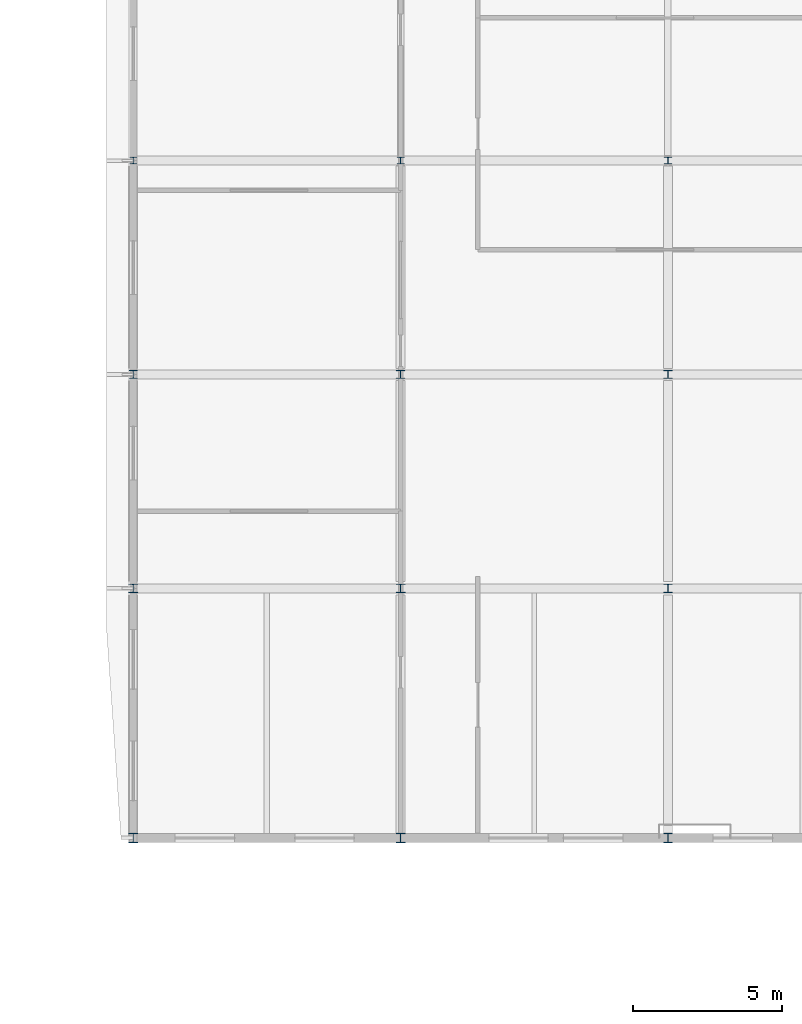
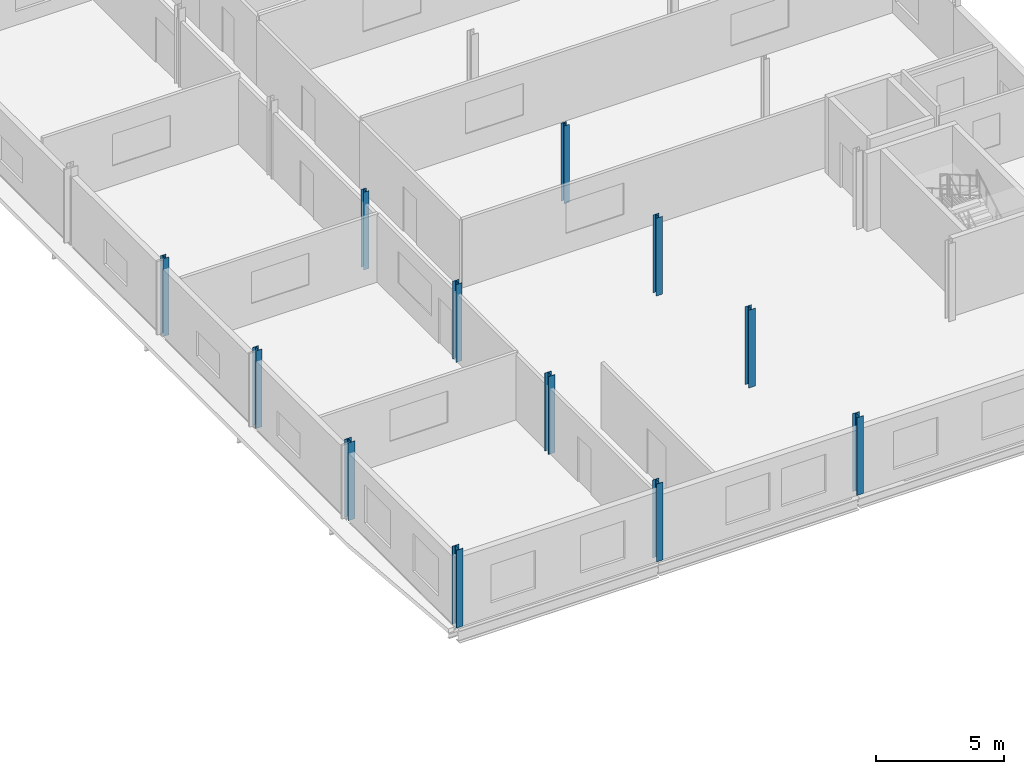
# One storey, part 5 of 30: 12 columns.
"""IFC4 building model written with IfcOpenShell, lengths in metres."""

import ifcopenshell
import ifcopenshell.guid

model = None  # the IFC model being written
_history = None  # IfcOwnerHistory: only IFC2X3 demands one
_inside = {}  # id of a spatial element -> (the spatial element, [elements in it])
_under = {}  # id of a project, library or spatial element -> (it, [spatial elements below it])
_declared = {}  # id of a project -> (the project, [libraries it declares])
_typed = {}  # id of a type object -> (the type object, [elements of that type])
_made_of = {}  # id of a material, layer set ... -> (it, [elements and type objects made of it])


def new_model(schema):
    """Start an empty IFC model of exactly this schema.

    Asked for "IFC4X3", IfcOpenShell would pick the latest addendum, in which some entities
    have other attributes; the version numbers below select the first issue.
    IFC2X3 requires an IfcOwnerHistory on every rooted entity: one is made here for all.
    """
    global model, _history
    if schema == "IFC4X3":
        model = ifcopenshell.file(schema_version=(4, 3, 0, 0))
    else:
        model = ifcopenshell.file(schema=schema)
    _inside.clear()
    _under.clear()
    _declared.clear()
    _typed.clear()
    _made_of.clear()
    _history = None
    if model.schema == "IFC2X3":
        org = make("IfcOrganization", Name="unknown")
        user = make(
            "IfcPersonAndOrganization",
            ThePerson=make("IfcPerson", FamilyName="unknown"),
            TheOrganization=org,
        )
        app = make(
            "IfcApplication",
            ApplicationDeveloper=org,
            Version="unknown",
            ApplicationFullName="unknown",
            ApplicationIdentifier="unknown",
        )
        _history = make(
            "IfcOwnerHistory",
            OwningUser=user,
            OwningApplication=app,
            ChangeAction="ADDED",
            CreationDate=0,
        )
    return model


def make(cls, **values):
    """One entity of the class cls with the attributes given. An attribute that is None is left unset."""
    return model.create_entity(
        cls, **{name: value for name, value in values.items() if value is not None}
    )


def rooted(cls, **values):
    """An entity with a GlobalId (a new one), such as an element, a storey or a relation."""
    return make(cls, GlobalId=ifcopenshell.guid.new(), OwnerHistory=_history, **values)


def si_unit(unit_type, name, prefix=None):
    """IfcSIUnit, for example si_unit("LENGTHUNIT", "METRE", prefix="MILLI")."""
    return make("IfcSIUnit", UnitType=unit_type, Prefix=prefix, Name=name)


def assignment(units):
    """IfcUnitAssignment: the units of a project."""
    return None if units is None else make("IfcUnitAssignment", Units=units)


def point(xyz):
    """IfcCartesianPoint."""
    return None if xyz is None else make("IfcCartesianPoint", Coordinates=xyz)


def direction(xyz):
    """IfcDirection."""
    return None if xyz is None else make("IfcDirection", DirectionRatios=xyz)


def frame(location, z_axis=None, x_axis=None):
    """IfcAxis2Placement3D, a coordinate frame: its origin and axes. An axis left out is left unset."""
    return make(
        "IfcAxis2Placement3D",
        Location=point(location),
        Axis=direction(z_axis),
        RefDirection=direction(x_axis),
    )


def frame_2d(location, x_axis=None):
    """IfcAxis2Placement2D, a coordinate frame in the plane: its origin and x axis."""
    return make(
        "IfcAxis2Placement2D", Location=point(location), RefDirection=direction(x_axis)
    )


def origin():
    """The frame at (0, 0, 0) with its axes left unset."""
    return frame((0.0, 0.0, 0.0))


def origin_2d():
    """The frame at (0, 0) in the plane with its x axis left unset."""
    return frame_2d((0.0, 0.0))


def place(relative_to, where):
    """IfcLocalPlacement: puts the frame where relative to a parent placement (None: the world)."""
    return make(
        "IfcLocalPlacement", PlacementRelTo=relative_to, RelativePlacement=where
    )


def context(
    kind, dimensions, precision=None, world=None, true_north=None, identifier=None
):
    """IfcGeometricRepresentationContext, for example the 3D "Model" context."""
    return make(
        "IfcGeometricRepresentationContext",
        ContextIdentifier=identifier,
        ContextType=kind,
        CoordinateSpaceDimension=dimensions,
        Precision=precision,
        WorldCoordinateSystem=world,
        TrueNorth=true_north,
    )


def subcontext(parent, identifier, kind, view, scale=None):
    """IfcGeometricRepresentationSubContext, for example "Body" below "Model"."""
    return make(
        "IfcGeometricRepresentationSubContext",
        ContextIdentifier=identifier,
        ContextType=kind,
        ParentContext=parent,
        TargetScale=scale,
        TargetView=view,
    )


def project(units=None, contexts=None):
    """IfcProject with its units and contexts."""
    return rooted(
        "IfcProject",
        Name="project",
        RepresentationContexts=contexts,
        UnitsInContext=assignment(units),
    )


def spatial(cls, under=None, at=None, **own):
    """A site, building, storey or space (cls), placed at a placement, below another one or the project."""
    s = rooted(cls, ObjectPlacement=at, **own)
    if under is not None:
        _under.setdefault(under.id(), (under, []))[1].append(s)
    return s


def profile(cls, at=None, kind="AREA", **sizes):
    """A parametric profile (cls). Its sizes go by their IFC names, for example OverallWidth=200.0."""
    return make(cls, ProfileType=kind, Position=at, **sizes)


def i_section(**sizes):
    """IfcIShapeProfileDef."""
    return profile("IfcIShapeProfileDef", **sizes)


def extrude(swept, where, along, depth):
    """IfcExtrudedAreaSolid: the profile swept, set in the frame where, extruded along a direction by depth."""
    return make(
        "IfcExtrudedAreaSolid",
        SweptArea=swept,
        Position=where,
        ExtrudedDirection=direction(along),
        Depth=depth,
    )


def shape(context_of_items, identifier, shape_type, items):
    """IfcShapeRepresentation: the items that make up one representation, for example the "Body"."""
    return make(
        "IfcShapeRepresentation",
        ContextOfItems=context_of_items,
        RepresentationIdentifier=identifier,
        RepresentationType=shape_type,
        Items=items,
    )


def material(Name=None, Category=None):
    """IfcMaterial."""
    return make("IfcMaterial", Name=Name, Category=Category)


def material_profile(
    of_material, cross_section, Name=None, Category=None, Priority=None
):
    """IfcMaterialProfile: a cross section and its material."""
    return make(
        "IfcMaterialProfile",
        Name=Name,
        Material=of_material,
        Profile=cross_section,
        Priority=Priority,
        Category=Category,
    )


def profile_set(profiles, Name=None, composite=None):
    """IfcMaterialProfileSet."""
    return make(
        "IfcMaterialProfileSet",
        Name=Name,
        MaterialProfiles=profiles,
        CompositeProfile=composite,
    )


def made_of(thing, what):
    """Note that an element or type object is made of a material, layer set ...; save() writes the relation."""
    if what is not None:
        _made_of.setdefault(what.id(), (what, []))[1].append(thing)
    return thing


def type_object(cls, material=None, **own):
    """A type object (cls), such as IfcWallType, which elements share."""
    return made_of(rooted(cls, **own), material)


def element(
    cls,
    number,
    at=None,
    inside=None,
    cuts=None,
    type_object=None,
    material=None,
    context=None,
    identifier="Body",
    shape_type=None,
    held_by="IfcProductDefinitionShape",
    body=None,
    shapes=None,
    **own,
):
    """One element of the class cls, such as IfcWall. Its Tag is "e" and its number.

    at: its placement. inside: the storey or other place that contains it. cuts: it is an
    opening in that element (IfcRelVoidsElement). A single representation is given by context,
    identifier, shape_type and body (its items); several are given by shapes. held_by: the class
    of the entity that holds the representations. save() writes the other relations.
    """
    e = rooted(cls, Tag="e%d" % number, ObjectPlacement=at, **own)
    if body is not None:
        shapes = [shape(context, identifier, shape_type, body)]
    if shapes is not None:
        e.Representation = make(held_by, Representations=shapes)
    if inside is not None:
        _inside.setdefault(inside.id(), (inside, []))[1].append(e)
    if cuts is not None:
        rooted(
            "IfcRelVoidsElement", RelatingBuildingElement=cuts, RelatedOpeningElement=e
        )
    if type_object is not None:
        _typed.setdefault(type_object.id(), (type_object, []))[1].append(e)
    return made_of(e, material)


def aggregate(whole, parts):
    """IfcRelAggregates: a whole, such as a stair, and the parts it consists of."""
    return rooted("IfcRelAggregates", RelatingObject=whole, RelatedObjects=parts)


def save(model, path):
    """Write the relations noted so far, then the file.

    IfcRelAggregates (storeys below a building ...), IfcRelContainedInSpatialStructure (elements
    in a storey), IfcRelDefinesByType, IfcRelAssociatesMaterial and IfcRelDeclares: one each for
    every whole, place, type object, material and project.
    """
    for whole, parts in _under.values():
        aggregate(whole, parts)
    for where, things in _inside.values():
        rooted(
            "IfcRelContainedInSpatialStructure",
            RelatedElements=things,
            RelatingStructure=where,
        )
    for kind, things in _typed.values():
        rooted("IfcRelDefinesByType", RelatedObjects=things, RelatingType=kind)
    for what, things in _made_of.values():
        rooted("IfcRelAssociatesMaterial", RelatedObjects=things, RelatingMaterial=what)
    for by, libraries in _declared.values():
        rooted("IfcRelDeclares", RelatingContext=by, RelatedDefinitions=libraries)
    model.write(path)


model = new_model("IFC4")

# Units and contexts
model_context = context("Model", 3, precision=1e-05, world=origin(), true_north=direction((0.0, 1.0)))
body_context = subcontext(model_context, "Body", "Model", "MODEL_VIEW")
ifc_project = project(units=[si_unit("LENGTHUNIT", "METRE"), si_unit("AREAUNIT", "SQUARE_METRE"), si_unit("VOLUMEUNIT", "CUBIC_METRE"), si_unit("PLANEANGLEUNIT", "RADIAN"), si_unit("MASSUNIT", "GRAM", prefix="KILO")], contexts=[model_context])

# Site, building, storey
site_placement = place(None, origin())
site = spatial("IfcSite", under=ifc_project, at=site_placement, CompositionType="ELEMENT")
building_placement = place(site_placement, origin())
building = spatial("IfcBuilding", under=site, at=building_placement, Name="Vinh Khe Railworks Police Headquarters", CompositionType="ELEMENT")
storey_placement = place(building_placement, frame((0.0, 0.0, 21.0)))
storey = spatial("IfcBuildingStorey", under=building, at=storey_placement, Name="L05", CompositionType="ELEMENT", Elevation=21.0)

# Columns
ifc_material = material(Name="Steel S355JR", Category="steel")
ifc_material_profile_1 = material_profile(ifc_material, i_section(OverallWidth=0.239990234375, OverallDepth=0.22998046875, WebThickness=0.007568359375, FlangeThickness=0.011962890625, FilletRadius=0.02099609375, at=origin_2d()), Name="HEA 240")
ifc_profile_set_1 = profile_set([ifc_material_profile_1], Name="Steel S355JR")
column_type_1 = type_object("IfcColumnType", Name="Steel Column HEA 240", PredefinedType="COLUMN", material=ifc_profile_set_1)
for number, where, z_axis, x_axis, name in (
    (1, (78.0, 145.199951171875, 0.0), (0.0, 0.0, 1.0), (1.0, 0.0, 0.0), "Column COL-L05-SC-20-1190"),
    (2, (87.0, 145.199951171875, 0.0), (0.0, 0.0, 1.0), (1.0, 0.0, 0.0), "Column COL-L05-SC-20-1251"),
    (3, (96.0, 145.199951171875, 0.0), (0.0, 0.0, 1.0), (1.0, 0.0, 0.0), "Column COL-L05-SC-20-1312"),
):
    element("IfcColumn", number, at=place(storey_placement, frame(where, z_axis=z_axis, x_axis=x_axis)), inside=storey, type_object=column_type_1, Name=name, PredefinedType="COLUMN", context=body_context, shape_type="SweptSolid", body=[
        extrude(i_section(OverallWidth=0.239990234375, OverallDepth=0.22998046875, WebThickness=0.007568359375, FlangeThickness=0.011962890625, FilletRadius=0.02099609375, at=origin_2d()), origin(), (0.0, 0.0, 1.0), 3.699951171875),
    ])
ifc_material_profile_2 = material_profile(ifc_material, i_section(OverallWidth=0.280029296875, OverallDepth=0.27001953125, WebThickness=0.008056640625, FlangeThickness=0.012939453125, FilletRadius=0.02392578125, at=origin_2d()), Name="HEA 280")
ifc_profile_set_2 = profile_set([ifc_material_profile_2], Name="Steel S355JR")
column_type_2 = type_object("IfcColumnType", Name="Steel Column HEA 280", PredefinedType="COLUMN", material=ifc_profile_set_2)
for number, where, z_axis, x_axis, name in (
    (4, (78.0, 138.0, 0.0), (0.0, 0.0, 1.0), (1.0, 0.0, 0.0), "Column COL-L05-SC-19-1183"),
    (5, (87.0, 138.0, 0.0), (0.0, 0.0, 1.0), (1.0, 0.0, 0.0), "Column COL-L05-SC-19-1244"),
    (6, (96.0, 138.0, 0.0), (0.0, 0.0, 1.0), (1.0, 0.0, 0.0), "Column COL-L05-SC-19-1305"),
):
    element("IfcColumn", number, at=place(storey_placement, frame(where, z_axis=z_axis, x_axis=x_axis)), inside=storey, type_object=column_type_2, Name=name, PredefinedType="COLUMN", context=body_context, shape_type="SweptSolid", body=[
        extrude(i_section(OverallWidth=0.280029296875, OverallDepth=0.27001953125, WebThickness=0.008056640625, FlangeThickness=0.012939453125, FilletRadius=0.02392578125, at=origin_2d()), origin(), (0.0, 0.0, 1.0), 3.699951171875),
    ])
ifc_material_profile_3 = material_profile(ifc_material, i_section(OverallWidth=0.300048828125, OverallDepth=0.2900390625, WebThickness=0.008544921875, FlangeThickness=0.013916015625, FilletRadius=0.027099609375, at=origin_2d()), Name="HEA 300")
ifc_profile_set_3 = profile_set([ifc_material_profile_3], Name="Steel S355JR")
column_type_3 = type_object("IfcColumnType", Name="Steel Column HEA 300", PredefinedType="COLUMN", material=ifc_profile_set_3)
for number, where, z_axis, x_axis, name in (
    (7, (78.0, 130.800048828125, 0.0), (0.0, 0.0, 1.0), (1.0, 0.0, 0.0), "Column COL-L05-SC-18-1176"),
    (8, (87.0, 130.800048828125, 0.0), (0.0, 0.0, 1.0), (1.0, 0.0, 0.0), "Column COL-L05-SC-18-1237"),
    (9, (96.0, 130.800048828125, 0.0), (0.0, 0.0, 1.0), (1.0, 0.0, 0.0), "Column COL-L05-SC-18-1298"),
):
    element("IfcColumn", number, at=place(storey_placement, frame(where, z_axis=z_axis, x_axis=x_axis)), inside=storey, type_object=column_type_3, Name=name, PredefinedType="COLUMN", context=body_context, shape_type="SweptSolid", body=[
        extrude(i_section(OverallWidth=0.300048828125, OverallDepth=0.2900390625, WebThickness=0.008544921875, FlangeThickness=0.013916015625, FilletRadius=0.027099609375, at=origin_2d()), origin(), (0.0, 0.0, 1.0), 3.699951171875),
    ])
ifc_material_profile_4 = material_profile(ifc_material, i_section(OverallWidth=0.300048828125, OverallDepth=0.330078125, WebThickness=0.009521484375, FlangeThickness=0.0166015625, FilletRadius=0.027099609375, at=origin_2d()), Name="HEA 340")
ifc_profile_set_4 = profile_set([ifc_material_profile_4], Name="Steel S355JR")
column_type_4 = type_object("IfcColumnType", Name="Steel Column HEA 340", PredefinedType="COLUMN", material=ifc_profile_set_4)
for number, where, z_axis, x_axis, name in (
    (10, (78.0, 122.39990234375, 0.0), (0.0, 0.0, 1.0), (1.0, 0.0, 0.0), "Column COL-L05-SC-17-1169"),
    (11, (87.0, 122.39990234375, 0.0), (0.0, 0.0, 1.0), (1.0, 0.0, 0.0), "Column COL-L05-SC-17-1230"),
    (12, (96.0, 122.39990234375, 0.0), (0.0, 0.0, 1.0), (1.0, 0.0, 0.0), "Column COL-L05-SC-17-1291"),
):
    element("IfcColumn", number, at=place(storey_placement, frame(where, z_axis=z_axis, x_axis=x_axis)), inside=storey, type_object=column_type_4, Name=name, PredefinedType="COLUMN", context=body_context, shape_type="SweptSolid", body=[
        extrude(i_section(OverallWidth=0.300048828125, OverallDepth=0.330078125, WebThickness=0.009521484375, FlangeThickness=0.0166015625, FilletRadius=0.027099609375, at=origin_2d()), origin(), (0.0, 0.0, 1.0), 3.699951171875),
    ])

save(model, "model.ifc")
